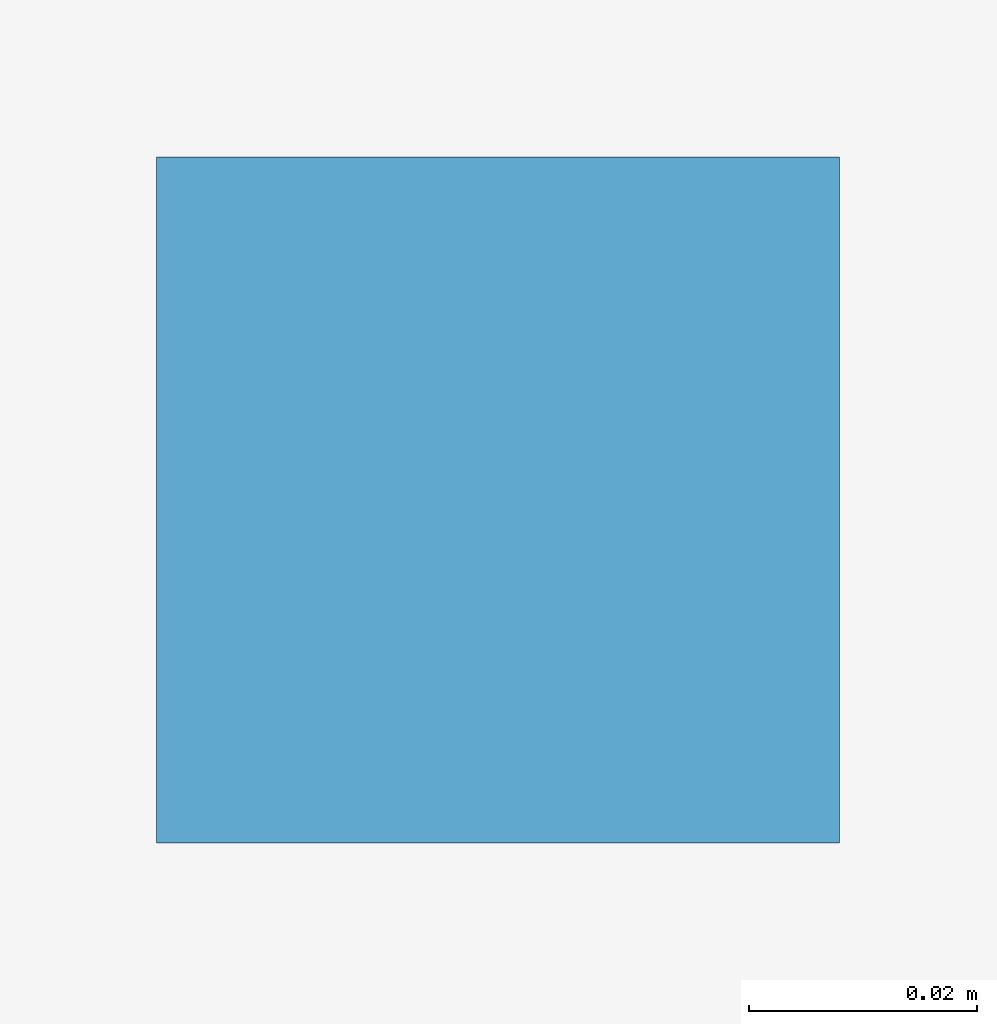
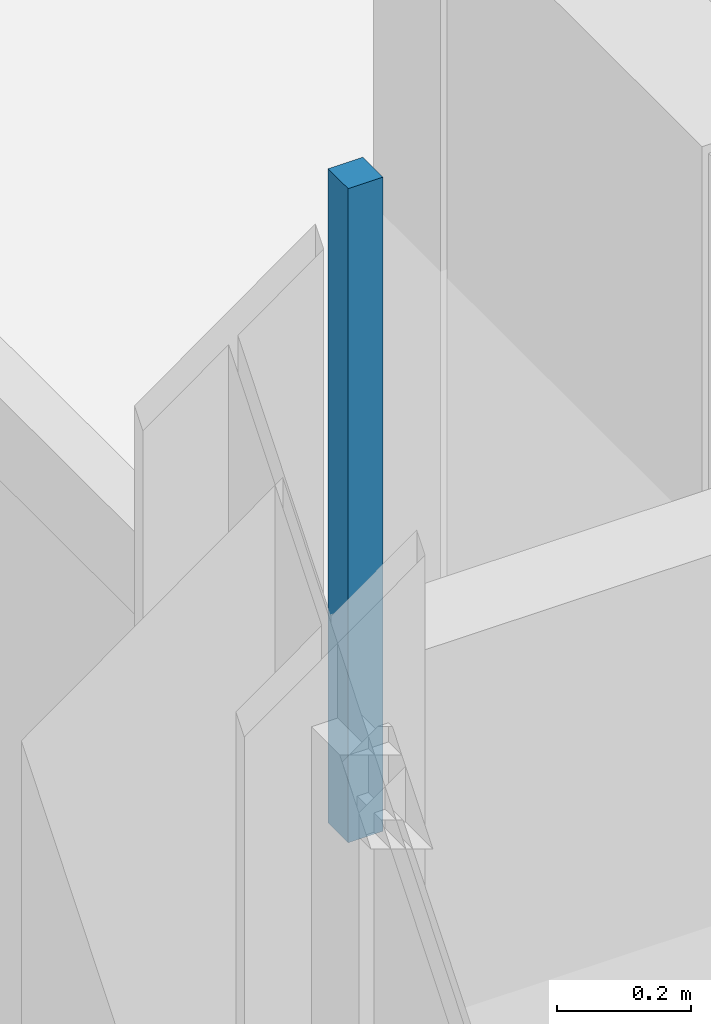
# One storey, part 82 of 107: 1 discrete accessory.
"""IFC4 building model written with IfcOpenShell, lengths in metres."""

import ifcopenshell
import ifcopenshell.guid

model = None  # the IFC model being written
_history = None  # IfcOwnerHistory: only IFC2X3 demands one
_inside = {}  # id of a spatial element -> (the spatial element, [elements in it])
_under = {}  # id of a project, library or spatial element -> (it, [spatial elements below it])
_declared = {}  # id of a project -> (the project, [libraries it declares])
_typed = {}  # id of a type object -> (the type object, [elements of that type])
_made_of = {}  # id of a material, layer set ... -> (it, [elements and type objects made of it])


def new_model(schema):
    """Start an empty IFC model of exactly this schema.

    Asked for "IFC4X3", IfcOpenShell would pick the latest addendum, in which some entities
    have other attributes; the version numbers below select the first issue.
    IFC2X3 requires an IfcOwnerHistory on every rooted entity: one is made here for all.
    """
    global model, _history
    if schema == "IFC4X3":
        model = ifcopenshell.file(schema_version=(4, 3, 0, 0))
    else:
        model = ifcopenshell.file(schema=schema)
    _inside.clear()
    _under.clear()
    _declared.clear()
    _typed.clear()
    _made_of.clear()
    _history = None
    if model.schema == "IFC2X3":
        org = make("IfcOrganization", Name="unknown")
        user = make(
            "IfcPersonAndOrganization",
            ThePerson=make("IfcPerson", FamilyName="unknown"),
            TheOrganization=org,
        )
        app = make(
            "IfcApplication",
            ApplicationDeveloper=org,
            Version="unknown",
            ApplicationFullName="unknown",
            ApplicationIdentifier="unknown",
        )
        _history = make(
            "IfcOwnerHistory",
            OwningUser=user,
            OwningApplication=app,
            ChangeAction="ADDED",
            CreationDate=0,
        )
    return model


def make(cls, **values):
    """One entity of the class cls with the attributes given. An attribute that is None is left unset."""
    return model.create_entity(
        cls, **{name: value for name, value in values.items() if value is not None}
    )


def rooted(cls, **values):
    """An entity with a GlobalId (a new one), such as an element, a storey or a relation."""
    return make(cls, GlobalId=ifcopenshell.guid.new(), OwnerHistory=_history, **values)


def si_unit(unit_type, name, prefix=None):
    """IfcSIUnit, for example si_unit("LENGTHUNIT", "METRE", prefix="MILLI")."""
    return make("IfcSIUnit", UnitType=unit_type, Prefix=prefix, Name=name)


def assignment(units):
    """IfcUnitAssignment: the units of a project."""
    return None if units is None else make("IfcUnitAssignment", Units=units)


def point(xyz):
    """IfcCartesianPoint."""
    return None if xyz is None else make("IfcCartesianPoint", Coordinates=xyz)


def direction(xyz):
    """IfcDirection."""
    return None if xyz is None else make("IfcDirection", DirectionRatios=xyz)


def frame(location, z_axis=None, x_axis=None):
    """IfcAxis2Placement3D, a coordinate frame: its origin and axes. An axis left out is left unset."""
    return make(
        "IfcAxis2Placement3D",
        Location=point(location),
        Axis=direction(z_axis),
        RefDirection=direction(x_axis),
    )


def origin():
    """The frame at (0, 0, 0) with its axes left unset."""
    return frame((0.0, 0.0, 0.0))


def place(relative_to, where):
    """IfcLocalPlacement: puts the frame where relative to a parent placement (None: the world)."""
    return make(
        "IfcLocalPlacement", PlacementRelTo=relative_to, RelativePlacement=where
    )


def context(
    kind, dimensions, precision=None, world=None, true_north=None, identifier=None
):
    """IfcGeometricRepresentationContext, for example the 3D "Model" context."""
    return make(
        "IfcGeometricRepresentationContext",
        ContextIdentifier=identifier,
        ContextType=kind,
        CoordinateSpaceDimension=dimensions,
        Precision=precision,
        WorldCoordinateSystem=world,
        TrueNorth=true_north,
    )


def subcontext(parent, identifier, kind, view, scale=None):
    """IfcGeometricRepresentationSubContext, for example "Body" below "Model"."""
    return make(
        "IfcGeometricRepresentationSubContext",
        ContextIdentifier=identifier,
        ContextType=kind,
        ParentContext=parent,
        TargetScale=scale,
        TargetView=view,
    )


def project(units=None, contexts=None):
    """IfcProject with its units and contexts."""
    return rooted(
        "IfcProject",
        Name="project",
        RepresentationContexts=contexts,
        UnitsInContext=assignment(units),
    )


def spatial(cls, under=None, at=None, **own):
    """A site, building, storey or space (cls), placed at a placement, below another one or the project."""
    s = rooted(cls, ObjectPlacement=at, **own)
    if under is not None:
        _under.setdefault(under.id(), (under, []))[1].append(s)
    return s


def polyline(points):
    """IfcPolyline through the points."""
    return make("IfcPolyline", Points=[point(p) for p in points])


def outline(outer, holes=None, kind="AREA"):
    """IfcArbitraryClosedProfileDef: a profile drawn as a closed curve; with holes, ...WithVoids."""
    if holes is None:
        return make("IfcArbitraryClosedProfileDef", ProfileType=kind, OuterCurve=outer)
    return make(
        "IfcArbitraryProfileDefWithVoids",
        ProfileType=kind,
        OuterCurve=outer,
        InnerCurves=holes,
    )


def extrude(swept, where, along, depth):
    """IfcExtrudedAreaSolid: the profile swept, set in the frame where, extruded along a direction by depth."""
    return make(
        "IfcExtrudedAreaSolid",
        SweptArea=swept,
        Position=where,
        ExtrudedDirection=direction(along),
        Depth=depth,
    )


def shape(context_of_items, identifier, shape_type, items):
    """IfcShapeRepresentation: the items that make up one representation, for example the "Body"."""
    return make(
        "IfcShapeRepresentation",
        ContextOfItems=context_of_items,
        RepresentationIdentifier=identifier,
        RepresentationType=shape_type,
        Items=items,
    )


def material(Name=None, Category=None):
    """IfcMaterial."""
    return make("IfcMaterial", Name=Name, Category=Category)


def made_of(thing, what):
    """Note that an element or type object is made of a material, layer set ...; save() writes the relation."""
    if what is not None:
        _made_of.setdefault(what.id(), (what, []))[1].append(thing)
    return thing


def type_object(cls, material=None, **own):
    """A type object (cls), such as IfcWallType, which elements share."""
    return made_of(rooted(cls, **own), material)


def element(
    cls,
    number,
    at=None,
    inside=None,
    cuts=None,
    type_object=None,
    material=None,
    context=None,
    identifier="Body",
    shape_type=None,
    held_by="IfcProductDefinitionShape",
    body=None,
    shapes=None,
    **own,
):
    """One element of the class cls, such as IfcWall. Its Tag is "e" and its number.

    at: its placement. inside: the storey or other place that contains it. cuts: it is an
    opening in that element (IfcRelVoidsElement). A single representation is given by context,
    identifier, shape_type and body (its items); several are given by shapes. held_by: the class
    of the entity that holds the representations. save() writes the other relations.
    """
    e = rooted(cls, Tag="e%d" % number, ObjectPlacement=at, **own)
    if body is not None:
        shapes = [shape(context, identifier, shape_type, body)]
    if shapes is not None:
        e.Representation = make(held_by, Representations=shapes)
    if inside is not None:
        _inside.setdefault(inside.id(), (inside, []))[1].append(e)
    if cuts is not None:
        rooted(
            "IfcRelVoidsElement", RelatingBuildingElement=cuts, RelatedOpeningElement=e
        )
    if type_object is not None:
        _typed.setdefault(type_object.id(), (type_object, []))[1].append(e)
    return made_of(e, material)


def aggregate(whole, parts):
    """IfcRelAggregates: a whole, such as a stair, and the parts it consists of."""
    return rooted("IfcRelAggregates", RelatingObject=whole, RelatedObjects=parts)


def save(model, path):
    """Write the relations noted so far, then the file.

    IfcRelAggregates (storeys below a building ...), IfcRelContainedInSpatialStructure (elements
    in a storey), IfcRelDefinesByType, IfcRelAssociatesMaterial and IfcRelDeclares: one each for
    every whole, place, type object, material and project.
    """
    for whole, parts in _under.values():
        aggregate(whole, parts)
    for where, things in _inside.values():
        rooted(
            "IfcRelContainedInSpatialStructure",
            RelatedElements=things,
            RelatingStructure=where,
        )
    for kind, things in _typed.values():
        rooted("IfcRelDefinesByType", RelatedObjects=things, RelatingType=kind)
    for what, things in _made_of.values():
        rooted("IfcRelAssociatesMaterial", RelatedObjects=things, RelatingMaterial=what)
    for by, libraries in _declared.values():
        rooted("IfcRelDeclares", RelatingContext=by, RelatedDefinitions=libraries)
    model.write(path)


model = new_model("IFC4")

# Units and contexts
model_context = context("Model", 3, precision=1e-05, world=origin(), true_north=direction((0.0, 1.0)))
body_context = subcontext(model_context, "Body", "Model", "MODEL_VIEW")
ifc_project = project(units=[si_unit("LENGTHUNIT", "METRE"), si_unit("AREAUNIT", "SQUARE_METRE"), si_unit("VOLUMEUNIT", "CUBIC_METRE"), si_unit("PLANEANGLEUNIT", "RADIAN"), si_unit("MASSUNIT", "GRAM", prefix="KILO")], contexts=[model_context])

# Site, building, storey
site_placement = place(None, origin())
site = spatial("IfcSite", under=ifc_project, at=site_placement, CompositionType="ELEMENT")
building_placement = place(site_placement, origin())
building = spatial("IfcBuilding", under=site, at=building_placement, Name="Dunescarp Central Library", CompositionType="ELEMENT")
storey_placement = place(building_placement, frame((0.0, 0.0, 5.10009765625)))
storey = spatial("IfcBuildingStorey", under=building, at=storey_placement, Name="L01", CompositionType="ELEMENT", Elevation=5.10009765625)

# Discrete accessory
ifc_material = material(Name="Stainless steel Grade 316L", Category="steel")
discrete_accessory_type = type_object("IfcDiscreteAccessoryType", Name="ARC-ACC-BRK", PredefinedType="BRACKET", material=ifc_material)
discrete_accessory_placement = place(storey_placement, frame((0.0, 0.0, 3.059814453125)))
element("IfcDiscreteAccessory", 1, at=discrete_accessory_placement, inside=storey, type_object=discrete_accessory_type, Name="L01 ceiling hanger CLG-L01-129-H1", PredefinedType="BRACKET", context=body_context, shape_type="SweptSolid", body=[
    extrude(outline(polyline([(0.360107421875, 90.02001953125), (0.419921875, 90.02001953125), (0.419921875, 90.080078125), (0.360107421875, 90.080078125), (0.360107421875, 90.02001953125)])), origin(), (0.0, 0.0, 1.0), 1.190185546875),
])

save(model, "model.ifc")
